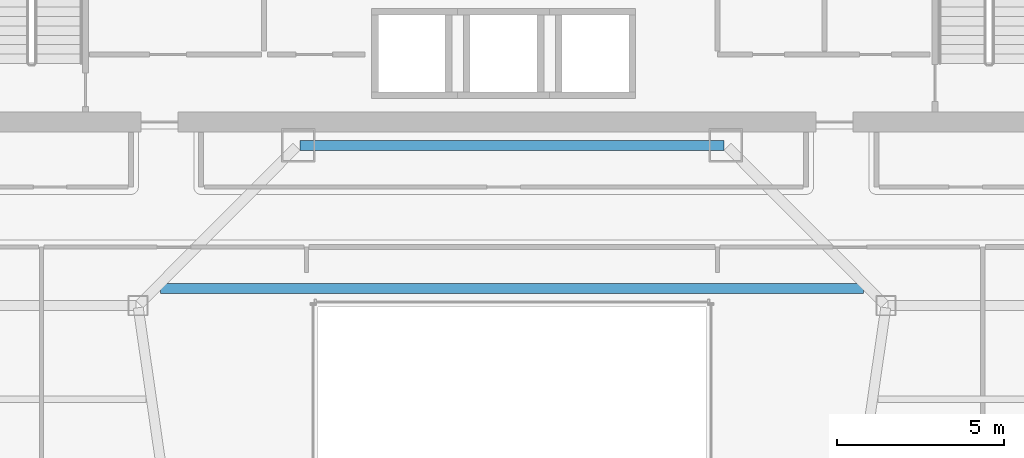
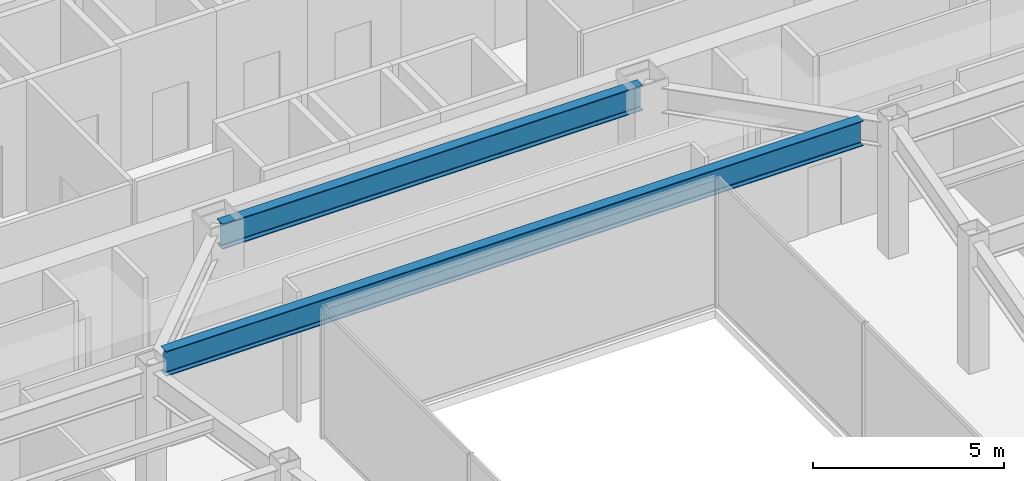
# One storey, part 18 of 35: 2 beams.
"""IFC4 building model written with IfcOpenShell, lengths in metres."""

from ifc_helpers import new_model, si_unit, direction, frame, origin, origin_2d, place, context, subcontext, project, spatial, i_section, extrude, material, material_profile, profile_set, type_object, element, save


model = new_model("IFC4")

# Units and contexts
model_context = context("Model", 3, precision=1e-05, world=origin(), true_north=direction((0.0, 1.0)))
body_context = subcontext(model_context, "Body", "Model", "MODEL_VIEW")
ifc_project = project(units=[si_unit("LENGTHUNIT", "METRE"), si_unit("AREAUNIT", "SQUARE_METRE"), si_unit("VOLUMEUNIT", "CUBIC_METRE"), si_unit("PLANEANGLEUNIT", "RADIAN"), si_unit("MASSUNIT", "GRAM", prefix="KILO")], contexts=[model_context])

# Site, building, storey
site_placement = place(None, origin())
site = spatial("IfcSite", under=ifc_project, at=site_placement, CompositionType="ELEMENT")
building_placement = place(site_placement, origin())
building = spatial("IfcBuilding", under=site, at=building_placement, Name="Saevonmaru Cultural Tower", CompositionType="ELEMENT")
storey_placement = place(building_placement, frame((0.0, 0.0, 101.60009765625)))
storey = spatial("IfcBuildingStorey", under=building, at=storey_placement, Name="L21", CompositionType="ELEMENT", Elevation=101.60009765625)

# Beams
ifc_material = material(Name="Steel SM420", Category="steel")
ifc_material_profile = material_profile(ifc_material, i_section(OverallWidth=0.300048828125, OverallDepth=0.800048828125, WebThickness=0.013916015625, FlangeThickness=0.02587890625, FilletRadius=0.028076171875, at=origin_2d()), Name="H-800x300x14x26")
ifc_profile_set = profile_set([ifc_material_profile], Name="Steel SM420")
beam_type = type_object("IfcBeamType", Name="BM-G-H800", PredefinedType="BEAM", material=ifc_profile_set)
beam_1_placement = place(storey_placement, frame((23.659912109375, 42.39990234375, 3.75), z_axis=(1.0, 0.0, 0.0), x_axis=(0.0, 1.0, 0.0)))
element("IfcBeam", 1, at=beam_1_placement, inside=storey, type_object=beam_type, Name="L21 Core South Girder 3", PredefinedType="BEAM", context=body_context, shape_type="SweptSolid", body=[
    extrude(i_section(OverallWidth=0.300048828125, OverallDepth=0.800048828125, WebThickness=0.013916015625, FlangeThickness=0.02587890625, FilletRadius=0.028076171875, at=origin_2d()), origin(), (0.0, 0.0, 1.0), 12.68017578125),
])
beam_2_placement = place(storey_placement, frame((19.485107421875, 38.1201171875, 3.75), z_axis=(1.0, 0.0, 0.0), x_axis=(0.0, 1.0, 0.0)))
element("IfcBeam", 2, at=beam_2_placement, inside=storey, type_object=beam_type, Name="L21 Central Link Girder", PredefinedType="BEAM", context=body_context, shape_type="SweptSolid", body=[
    extrude(i_section(OverallWidth=0.300048828125, OverallDepth=0.800048828125, WebThickness=0.013916015625, FlangeThickness=0.02587890625, FilletRadius=0.028076171875, at=origin_2d()), origin(), (0.0, 0.0, 1.0), 21.02978515625),
])

save(model, "model.ifc")
